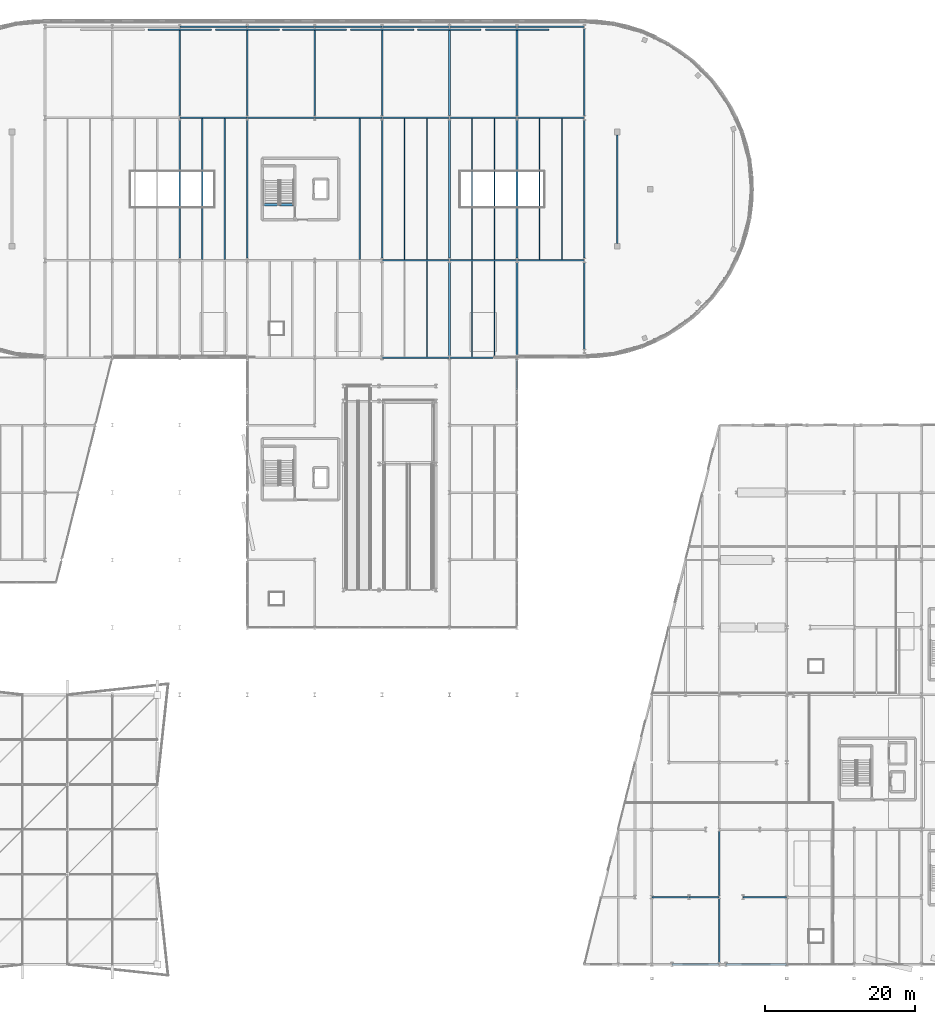
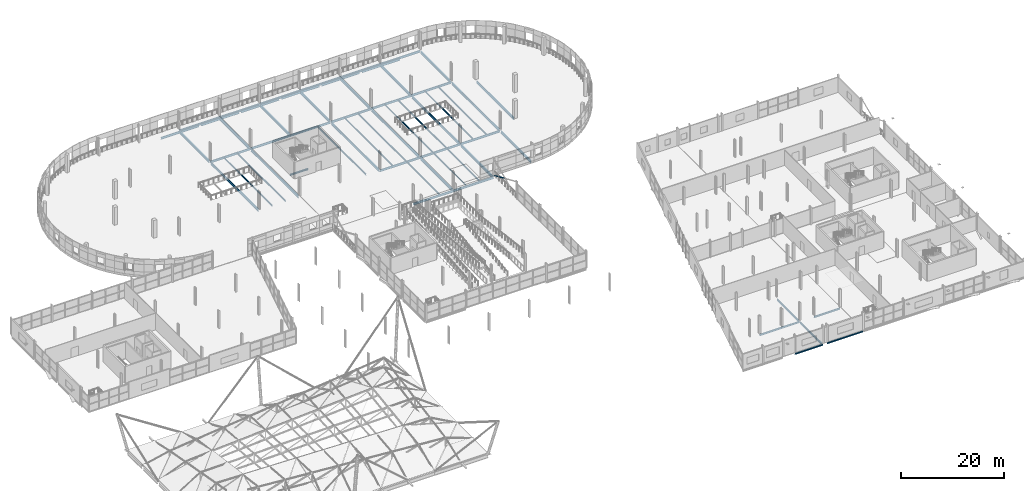
# One storey, part 78 of 132: 60 beams, 1 member.
"""IFC4 building model written with IfcOpenShell, lengths in metres."""

from ifc_helpers import new_model, si_unit, direction, frame, origin, origin_2d, place, context, subcontext, project, spatial, hollow_rectangle, i_section, extrude, material, material_profile, profile_set, type_object, element, save


model = new_model("IFC4")

# Units and contexts
model_context = context("Model", 3, precision=1e-05, world=origin(), true_north=direction((0.0, 1.0)))
body_context = subcontext(model_context, "Body", "Model", "MODEL_VIEW")
ifc_project = project(units=[si_unit("LENGTHUNIT", "METRE"), si_unit("AREAUNIT", "SQUARE_METRE"), si_unit("VOLUMEUNIT", "CUBIC_METRE"), si_unit("PLANEANGLEUNIT", "RADIAN"), si_unit("MASSUNIT", "GRAM", prefix="KILO")], contexts=[model_context])

# Site, building, storey
site_placement = place(None, origin())
site = spatial("IfcSite", under=ifc_project, at=site_placement, CompositionType="ELEMENT")
building_placement = place(site_placement, origin())
building = spatial("IfcBuilding", under=site, at=building_placement, Name="Deido Ridge Mobility Hub", CompositionType="ELEMENT")
storey_placement = place(building_placement, frame((0.0, 0.0, 8.39990234375)))
storey = spatial("IfcBuildingStorey", under=building, at=storey_placement, Name="L02", CompositionType="ELEMENT", Elevation=8.39990234375)

# Beams
ifc_material_1 = material(Name="Steel S355J2 EN 10025-2", Category="steel")
ifc_material_profile_1 = material_profile(ifc_material_1, i_section(OverallWidth=0.300048828125, OverallDepth=0.330078125, WebThickness=0.009521484375, FlangeThickness=0.0166015625, FilletRadius=0.027099609375, at=origin_2d()), Name="HEA 340")
ifc_profile_set_1 = profile_set([ifc_material_profile_1], Name="Steel S355J2 EN 10025-2")
beam_type_1 = type_object("IfcBeamType", Name="BM-HEA340", PredefinedType="BEAM", material=ifc_profile_set_1)
beam_1_placement = place(storey_placement, frame((74.14990234375, 101.39990234375, -0.419921875), z_axis=(1.0, 0.0, 0.0), x_axis=(0.0, 1.0, 0.0)))
element("IfcBeam", 1, at=beam_1_placement, inside=storey, type_object=beam_type_1, Name="C5 stair landing trimmer beam B6", PredefinedType="BEAM", context=body_context, shape_type="SweptSolid", body=[
    extrude(i_section(OverallWidth=0.300048828125, OverallDepth=0.330078125, WebThickness=0.009521484375, FlangeThickness=0.0166015625, FilletRadius=0.027099609375, at=origin_2d()), origin(), (0.0, 0.0, 1.0), 4.085205078125),
])
ifc_material_profile_2 = material_profile(ifc_material_1, i_section(OverallWidth=0.179931640625, OverallDepth=0.39990234375, WebThickness=0.008544921875, FlangeThickness=0.013427734375, FilletRadius=0.02099609375, at=origin_2d()), Name="IPE 400")
ifc_profile_set_2 = profile_set([ifc_material_profile_2], Name="Steel S355J2 EN 10025-2")
beam_type_2 = type_object("IfcBeamType", Name="BM-IPE400", PredefinedType="BEAM", material=ifc_profile_set_2)
beam_2_placement = place(storey_placement, frame((126.0087890625, 9.0, -0.454833984375), z_axis=(1.0, 0.0, 0.0), x_axis=(0.0, 1.0, 0.0)))
element("IfcBeam", 2, at=beam_2_placement, inside=storey, type_object=beam_type_2, Name="Floor beam B5", PredefinedType="BEAM", context=body_context, shape_type="SweptSolid", body=[
    extrude(i_section(OverallWidth=0.179931640625, OverallDepth=0.39990234375, WebThickness=0.008544921875, FlangeThickness=0.013427734375, FilletRadius=0.02099609375, at=origin_2d()), origin(), (0.0, 0.0, 1.0), 4.93359375),
])
beam_3_placement = place(storey_placement, frame((130.957763671875, 9.0, -0.454833984375), z_axis=(1.0, 0.0, 0.0), x_axis=(0.0, 1.0, 0.0)))
element("IfcBeam", 3, at=beam_3_placement, inside=storey, type_object=beam_type_2, Name="Floor beam B5", PredefinedType="BEAM", context=body_context, shape_type="SweptSolid", body=[
    extrude(i_section(OverallWidth=0.179931640625, OverallDepth=0.39990234375, WebThickness=0.008544921875, FlangeThickness=0.013427734375, FilletRadius=0.02099609375, at=origin_2d()), origin(), (0.0, 0.0, 1.0), 4.035400390625),
])
beam_4_placement = place(storey_placement, frame((138.15771484375, 9.0, -0.454833984375), z_axis=(1.0, 0.0, 0.0), x_axis=(0.0, 1.0, 0.0)))
element("IfcBeam", 4, at=beam_4_placement, inside=storey, type_object=beam_type_2, Name="Floor beam B5", PredefinedType="BEAM", context=body_context, shape_type="SweptSolid", body=[
    extrude(i_section(OverallWidth=0.179931640625, OverallDepth=0.39990234375, WebThickness=0.008544921875, FlangeThickness=0.013427734375, FilletRadius=0.02099609375, at=origin_2d()), origin(), (0.0, 0.0, 1.0), 5.83349609375),
])
ifc_material_profile_3 = material_profile(ifc_material_1, i_section(OverallWidth=0.18994140625, OverallDepth=0.449951171875, WebThickness=0.009521484375, FlangeThickness=0.0146484375, FilletRadius=0.02099609375, at=origin_2d()), Name="IPE 450")
ifc_profile_set_3 = profile_set([ifc_material_profile_3], Name="Steel S355J2 EN 10025-2")
beam_type_3 = type_object("IfcBeamType", Name="BM-IPE450", PredefinedType="BEAM", material=ifc_profile_set_3)
beam_5_placement = place(storey_placement, frame((135.0, 0.300048828125, -0.47998046875), z_axis=(0.0, 1.0, 0.0), x_axis=(-1.0, 0.0, 0.0)))
element("IfcBeam", 5, at=beam_5_placement, inside=storey, type_object=beam_type_3, Name="Floor beam B4", PredefinedType="BEAM", context=body_context, shape_type="SweptSolid", body=[
    extrude(i_section(OverallWidth=0.18994140625, OverallDepth=0.449951171875, WebThickness=0.009521484375, FlangeThickness=0.0146484375, FilletRadius=0.02099609375, at=origin_2d()), origin(), (0.0, 0.0, 1.0), 8.5),
])
beam_6_placement = place(storey_placement, frame((135.0, 9.199951171875, -0.47998046875), z_axis=(0.0, 1.0, 0.0), x_axis=(-1.0, 0.0, 0.0)))
element("IfcBeam", 6, at=beam_6_placement, inside=storey, type_object=beam_type_3, Name="Floor beam B4", PredefinedType="BEAM", context=body_context, shape_type="SweptSolid", body=[
    extrude(i_section(OverallWidth=0.18994140625, OverallDepth=0.449951171875, WebThickness=0.009521484375, FlangeThickness=0.0146484375, FilletRadius=0.02099609375, at=origin_2d()), origin(), (0.0, 0.0, 1.0), 8.60009765625),
])
ifc_material_profile_4 = material_profile(ifc_material_1, i_section(OverallWidth=0.199951171875, OverallDepth=0.5, WebThickness=0.01025390625, FlangeThickness=0.01611328125, FilletRadius=0.02099609375, at=origin_2d()), Name="IPE 500")
ifc_profile_set_4 = profile_set([ifc_material_profile_4], Name="Steel S355J2 EN 10025-2")
beam_type_4 = type_object("IfcBeamType", Name="BM-IPE500", PredefinedType="BEAM", material=ifc_profile_set_4)
for number, where, z_axis, x_axis, name in (
    (7, (90.007080078125, 81.0, -0.5048828125), (1.0, 0.0, 0.0), (0.0, 1.0, 0.0), "Floor beam B3"),
    (8, (99.007080078125, 81.0, -0.5048828125), (1.0, 0.0, 0.0), (0.0, 1.0, 0.0), "Floor beam B3"),
):
    element("IfcBeam", number, at=place(storey_placement, frame(where, z_axis=z_axis, x_axis=x_axis)), inside=storey, type_object=beam_type_4, Name=name, PredefinedType="BEAM", context=body_context, shape_type="SweptSolid", body=[
        extrude(i_section(OverallWidth=0.199951171875, OverallDepth=0.5, WebThickness=0.01025390625, FlangeThickness=0.01611328125, FilletRadius=0.02099609375, at=origin_2d()), origin(), (0.0, 0.0, 1.0), 8.98583984375),
    ])
for number, where, z_axis, x_axis, name in (
    (9, (90.0078125, 94.0, -0.5048828125), (1.0, 0.0, 0.0), (0.0, 1.0, 0.0), "Floor beam B3"),
    (10, (99.0078125, 94.0, -0.5048828125), (1.0, 0.0, 0.0), (0.0, 1.0, 0.0), "Floor beam B3"),
    (11, (108.0078125, 94.0, -0.5048828125), (1.0, 0.0, 0.0), (0.0, 1.0, 0.0), "Floor beam B3"),
    (12, (63.0078125, 113.0, -0.5048828125), (1.0, 0.0, 0.0), (0.0, 1.0, 0.0), "Floor beam B3"),
    (13, (72.0078125, 113.0, -0.5048828125), (1.0, 0.0, 0.0), (0.0, 1.0, 0.0), "Floor beam B3"),
    (14, (81.0078125, 113.0, -0.5048828125), (1.0, 0.0, 0.0), (0.0, 1.0, 0.0), "Floor beam B3"),
    (15, (90.0078125, 113.0, -0.5048828125), (1.0, 0.0, 0.0), (0.0, 1.0, 0.0), "Floor beam B3"),
    (16, (99.0078125, 113.0, -0.5048828125), (1.0, 0.0, 0.0), (0.0, 1.0, 0.0), "Floor beam B3"),
    (17, (108.0078125, 113.0, -0.5048828125), (1.0, 0.0, 0.0), (0.0, 1.0, 0.0), "Floor beam B3"),
):
    element("IfcBeam", number, at=place(storey_placement, frame(where, z_axis=z_axis, x_axis=x_axis)), inside=storey, type_object=beam_type_4, Name=name, PredefinedType="BEAM", context=body_context, shape_type="SweptSolid", body=[
        extrude(i_section(OverallWidth=0.199951171875, OverallDepth=0.5, WebThickness=0.01025390625, FlangeThickness=0.01611328125, FilletRadius=0.02099609375, at=origin_2d()), origin(), (0.0, 0.0, 1.0), 8.984375),
    ])
for number, where, z_axis, x_axis, name in (
    (18, (63.007080078125, 125.14990234375, -0.5048828125), (1.0, 0.0, 0.0), (0.0, 1.0, 0.0), "Floor beam B3"),
    (19, (72.007080078125, 125.14990234375, -0.5048828125), (1.0, 0.0, 0.0), (0.0, 1.0, 0.0), "Floor beam B3"),
    (20, (81.007080078125, 125.14990234375, -0.5048828125), (1.0, 0.0, 0.0), (0.0, 1.0, 0.0), "Floor beam B3"),
    (21, (90.007080078125, 125.14990234375, -0.5048828125), (1.0, 0.0, 0.0), (0.0, 1.0, 0.0), "Floor beam B3"),
    (22, (99.007080078125, 125.14990234375, -0.5048828125), (1.0, 0.0, 0.0), (0.0, 1.0, 0.0), "Floor beam B3"),
    (23, (108.007080078125, 125.14990234375, -0.5048828125), (1.0, 0.0, 0.0), (0.0, 1.0, 0.0), "Floor beam B3"),
):
    element("IfcBeam", number, at=place(storey_placement, frame(where, z_axis=z_axis, x_axis=x_axis)), inside=storey, type_object=beam_type_4, Name=name, PredefinedType="BEAM", context=body_context, shape_type="SweptSolid", body=[
        extrude(i_section(OverallWidth=0.199951171875, OverallDepth=0.5, WebThickness=0.01025390625, FlangeThickness=0.01611328125, FilletRadius=0.02099609375, at=origin_2d()), origin(), (0.0, 0.0, 1.0), 8.98583984375),
    ])
for number, where, z_axis, x_axis, name in (
    (24, (58.72509765625, 124.75, -0.5048828125), (1.0, 0.0, 0.0), (0.0, 1.0, 0.0), "Floor beam B3"),
    (25, (67.77490234375, 124.75, -0.5048828125), (1.0, 0.0, 0.0), (0.0, 1.0, 0.0), "Floor beam B3"),
    (26, (76.72509765625, 124.75, -0.5048828125), (1.0, 0.0, 0.0), (0.0, 1.0, 0.0), "Floor beam B3"),
    (27, (85.77490234375, 124.75, -0.5048828125), (1.0, 0.0, 0.0), (0.0, 1.0, 0.0), "Floor beam B3"),
    (28, (94.72509765625, 124.75, -0.5048828125), (1.0, 0.0, 0.0), (0.0, 1.0, 0.0), "Floor beam B3"),
    (29, (103.77490234375, 124.75, -0.5048828125), (1.0, 0.0, 0.0), (0.0, 1.0, 0.0), "Floor beam B3"),
):
    element("IfcBeam", number, at=place(storey_placement, frame(where, z_axis=z_axis, x_axis=x_axis)), inside=storey, type_object=beam_type_4, Name=name, PredefinedType="BEAM", context=body_context, shape_type="SweptSolid", body=[
        extrude(i_section(OverallWidth=0.199951171875, OverallDepth=0.5, WebThickness=0.01025390625, FlangeThickness=0.01611328125, FilletRadius=0.02099609375, at=origin_2d()), origin(), (0.0, 0.0, 1.0), 8.5),
    ])
ifc_material_profile_5 = material_profile(ifc_material_1, i_section(OverallWidth=0.219970703125, OverallDepth=0.60009765625, WebThickness=0.011962890625, FlangeThickness=0.01904296875, FilletRadius=0.02392578125, at=origin_2d()), Name="IPE 600")
ifc_profile_set_5 = profile_set([ifc_material_profile_5], Name="Steel S355J2 EN 10025-2")
beam_type_5 = type_object("IfcBeamType", Name="BM-IPE600", PredefinedType="BEAM", material=ifc_profile_set_5)
beam_7_placement = place(storey_placement, frame((63.0, 94.300048828125, -0.554931640625), z_axis=(0.0, 1.0, 0.0), x_axis=(-1.0, 0.0, 0.0)))
element("IfcBeam", 30, at=beam_7_placement, inside=storey, type_object=beam_type_5, Name="Floor beam B1", PredefinedType="BEAM", context=body_context, shape_type="SweptSolid", body=[
    extrude(i_section(OverallWidth=0.219970703125, OverallDepth=0.60009765625, WebThickness=0.011962890625, FlangeThickness=0.01904296875, FilletRadius=0.02392578125, at=origin_2d()), origin(), (0.0, 0.0, 1.0), 18.39990234375),
])
beam_8_placement = place(storey_placement, frame((63.0, 113.300048828125, -0.554931640625), z_axis=(0.0, 1.0, 0.0), x_axis=(-1.0, 0.0, 0.0)))
element("IfcBeam", 31, at=beam_8_placement, inside=storey, type_object=beam_type_5, Name="Floor beam B1", PredefinedType="BEAM", context=body_context, shape_type="SweptSolid", body=[
    extrude(i_section(OverallWidth=0.219970703125, OverallDepth=0.60009765625, WebThickness=0.011962890625, FlangeThickness=0.01904296875, FilletRadius=0.02392578125, at=origin_2d()), origin(), (0.0, 0.0, 1.0), 11.599853515625),
])
beam_9_placement = place(storey_placement, frame((72.0, 94.300048828125, -0.554931640625), z_axis=(0.0, 1.0, 0.0), x_axis=(-1.0, 0.0, 0.0)))
element("IfcBeam", 32, at=beam_9_placement, inside=storey, type_object=beam_type_5, Name="Floor beam B1", PredefinedType="BEAM", context=body_context, shape_type="SweptSolid", body=[
    extrude(i_section(OverallWidth=0.219970703125, OverallDepth=0.60009765625, WebThickness=0.011962890625, FlangeThickness=0.01904296875, FilletRadius=0.02392578125, at=origin_2d()), origin(), (0.0, 0.0, 1.0), 18.39990234375),
])
for number, where, z_axis, x_axis, name in (
    (33, (72.0, 113.300048828125, -0.554931640625), (0.0, 1.0, 0.0), (-1.0, 0.0, 0.0), "Floor beam B1"),
    (34, (81.0, 113.300048828125, -0.554931640625), (0.0, 1.0, 0.0), (-1.0, 0.0, 0.0), "Floor beam B1"),
):
    element("IfcBeam", number, at=place(storey_placement, frame(where, z_axis=z_axis, x_axis=x_axis)), inside=storey, type_object=beam_type_5, Name=name, PredefinedType="BEAM", context=body_context, shape_type="SweptSolid", body=[
        extrude(i_section(OverallWidth=0.219970703125, OverallDepth=0.60009765625, WebThickness=0.011962890625, FlangeThickness=0.01904296875, FilletRadius=0.02392578125, at=origin_2d()), origin(), (0.0, 0.0, 1.0), 11.599853515625),
    ])
beam_10_placement = place(storey_placement, frame((90.0, 94.300048828125, -0.554931640625), z_axis=(0.0, 1.0, 0.0), x_axis=(-1.0, 0.0, 0.0)))
element("IfcBeam", 35, at=beam_10_placement, inside=storey, type_object=beam_type_5, Name="Floor beam B1", PredefinedType="BEAM", context=body_context, shape_type="SweptSolid", body=[
    extrude(i_section(OverallWidth=0.219970703125, OverallDepth=0.60009765625, WebThickness=0.011962890625, FlangeThickness=0.01904296875, FilletRadius=0.02392578125, at=origin_2d()), origin(), (0.0, 0.0, 1.0), 18.39990234375),
])
beam_11_placement = place(storey_placement, frame((90.0, 113.300048828125, -0.554931640625), z_axis=(0.0, 1.0, 0.0), x_axis=(-1.0, 0.0, 0.0)))
element("IfcBeam", 36, at=beam_11_placement, inside=storey, type_object=beam_type_5, Name="Floor beam B1", PredefinedType="BEAM", context=body_context, shape_type="SweptSolid", body=[
    extrude(i_section(OverallWidth=0.219970703125, OverallDepth=0.60009765625, WebThickness=0.011962890625, FlangeThickness=0.01904296875, FilletRadius=0.02392578125, at=origin_2d()), origin(), (0.0, 0.0, 1.0), 11.599853515625),
])
beam_12_placement = place(storey_placement, frame((99.0, 81.25, -0.554931640625), z_axis=(0.0, 1.0, 0.0), x_axis=(-1.0, 0.0, 0.0)))
element("IfcBeam", 37, at=beam_12_placement, inside=storey, type_object=beam_type_5, Name="Floor beam B1", PredefinedType="BEAM", context=body_context, shape_type="SweptSolid", body=[
    extrude(i_section(OverallWidth=0.219970703125, OverallDepth=0.60009765625, WebThickness=0.011962890625, FlangeThickness=0.01904296875, FilletRadius=0.02392578125, at=origin_2d()), origin(), (0.0, 0.0, 1.0), 12.449951171875),
])
beam_13_placement = place(storey_placement, frame((99.0, 94.300048828125, -0.554931640625), z_axis=(0.0, 1.0, 0.0), x_axis=(-1.0, 0.0, 0.0)))
element("IfcBeam", 38, at=beam_13_placement, inside=storey, type_object=beam_type_5, Name="Floor beam B1", PredefinedType="BEAM", context=body_context, shape_type="SweptSolid", body=[
    extrude(i_section(OverallWidth=0.219970703125, OverallDepth=0.60009765625, WebThickness=0.011962890625, FlangeThickness=0.01904296875, FilletRadius=0.02392578125, at=origin_2d()), origin(), (0.0, 0.0, 1.0), 18.39990234375),
])
beam_14_placement = place(storey_placement, frame((99.0, 113.300048828125, -0.554931640625), z_axis=(0.0, 1.0, 0.0), x_axis=(-1.0, 0.0, 0.0)))
element("IfcBeam", 39, at=beam_14_placement, inside=storey, type_object=beam_type_5, Name="Floor beam B1", PredefinedType="BEAM", context=body_context, shape_type="SweptSolid", body=[
    extrude(i_section(OverallWidth=0.219970703125, OverallDepth=0.60009765625, WebThickness=0.011962890625, FlangeThickness=0.01904296875, FilletRadius=0.02392578125, at=origin_2d()), origin(), (0.0, 0.0, 1.0), 11.599853515625),
])
beam_15_placement = place(storey_placement, frame((108.0, 81.25, -0.554931640625), z_axis=(0.0, 1.0, 0.0), x_axis=(-1.0, 0.0, 0.0)))
element("IfcBeam", 40, at=beam_15_placement, inside=storey, type_object=beam_type_5, Name="Floor beam B1", PredefinedType="BEAM", context=body_context, shape_type="SweptSolid", body=[
    extrude(i_section(OverallWidth=0.219970703125, OverallDepth=0.60009765625, WebThickness=0.011962890625, FlangeThickness=0.01904296875, FilletRadius=0.02392578125, at=origin_2d()), origin(), (0.0, 0.0, 1.0), 12.449951171875),
])
beam_16_placement = place(storey_placement, frame((108.0, 94.300048828125, -0.554931640625), z_axis=(0.0, 1.0, 0.0), x_axis=(-1.0, 0.0, 0.0)))
element("IfcBeam", 41, at=beam_16_placement, inside=storey, type_object=beam_type_5, Name="Floor beam B1", PredefinedType="BEAM", context=body_context, shape_type="SweptSolid", body=[
    extrude(i_section(OverallWidth=0.219970703125, OverallDepth=0.60009765625, WebThickness=0.011962890625, FlangeThickness=0.01904296875, FilletRadius=0.02392578125, at=origin_2d()), origin(), (0.0, 0.0, 1.0), 18.39990234375),
])
for number, where, z_axis, x_axis, name in (
    (42, (108.0, 113.300048828125, -0.554931640625), (0.0, 1.0, 0.0), (-1.0, 0.0, 0.0), "Floor beam B1"),
    (43, (117.0, 82.10009765625, -0.554931640625), (0.0, 1.0, 0.0), (-1.0, 0.0, 0.0), "Floor beam B1"),
):
    element("IfcBeam", number, at=place(storey_placement, frame(where, z_axis=z_axis, x_axis=x_axis)), inside=storey, type_object=beam_type_5, Name=name, PredefinedType="BEAM", context=body_context, shape_type="SweptSolid", body=[
        extrude(i_section(OverallWidth=0.219970703125, OverallDepth=0.60009765625, WebThickness=0.011962890625, FlangeThickness=0.01904296875, FilletRadius=0.02392578125, at=origin_2d()), origin(), (0.0, 0.0, 1.0), 11.599853515625),
    ])
beam_17_placement = place(storey_placement, frame((117.0, 94.300048828125, -0.554931640625), z_axis=(0.0, 1.0, 0.0), x_axis=(-1.0, 0.0, 0.0)))
element("IfcBeam", 44, at=beam_17_placement, inside=storey, type_object=beam_type_5, Name="Floor beam B1", PredefinedType="BEAM", context=body_context, shape_type="SweptSolid", body=[
    extrude(i_section(OverallWidth=0.219970703125, OverallDepth=0.60009765625, WebThickness=0.011962890625, FlangeThickness=0.01904296875, FilletRadius=0.02392578125, at=origin_2d()), origin(), (0.0, 0.0, 1.0), 18.39990234375),
])
beam_18_placement = place(storey_placement, frame((117.0, 113.300048828125, -0.554931640625), z_axis=(0.0, 1.0, 0.0), x_axis=(-1.0, 0.0, 0.0)))
element("IfcBeam", 45, at=beam_18_placement, inside=storey, type_object=beam_type_5, Name="Floor beam B1", PredefinedType="BEAM", context=body_context, shape_type="SweptSolid", body=[
    extrude(i_section(OverallWidth=0.219970703125, OverallDepth=0.60009765625, WebThickness=0.011962890625, FlangeThickness=0.01904296875, FilletRadius=0.02392578125, at=origin_2d()), origin(), (0.0, 0.0, 1.0), 11.599853515625),
])
beam_19_placement = place(storey_placement, frame((121.39990234375, 96.2548828125, -0.554931640625), z_axis=(0.0, 1.0, 0.0), x_axis=(-1.0, 0.0, 0.0)))
element("IfcBeam", 46, at=beam_19_placement, inside=storey, type_object=beam_type_5, Name="Floor beam B1", PredefinedType="BEAM", context=body_context, shape_type="SweptSolid", body=[
    extrude(i_section(OverallWidth=0.219970703125, OverallDepth=0.60009765625, WebThickness=0.011962890625, FlangeThickness=0.01904296875, FilletRadius=0.02392578125, at=origin_2d()), origin(), (0.0, 0.0, 1.0), 14.490234375),
])
ifc_material_profile_6 = material_profile(ifc_material_1, i_section(OverallWidth=0.159912109375, OverallDepth=0.330078125, WebThickness=0.007568359375, FlangeThickness=0.011474609375, FilletRadius=0.01806640625, at=origin_2d()), Name="IPE 330")
ifc_profile_set_6 = profile_set([ifc_material_profile_6], Name="Steel S355J2 EN 10025-2")
beam_type_6 = type_object("IfcBeamType", Name="JST-IPE330", PredefinedType="JOIST", material=ifc_profile_set_6)
beam_20_placement = place(storey_placement, frame((102.0, 81.10009765625, -0.419921875), z_axis=(0.0, 1.0, 0.0), x_axis=(-1.0, 0.0, 0.0)))
element("IfcBeam", 47, at=beam_20_placement, inside=storey, type_object=beam_type_6, Name="Composite joist J2", PredefinedType="JOIST", context=body_context, shape_type="SweptSolid", body=[
    extrude(i_section(OverallWidth=0.159912109375, OverallDepth=0.330078125, WebThickness=0.007568359375, FlangeThickness=0.011474609375, FilletRadius=0.01806640625, at=origin_2d()), origin(), (0.0, 0.0, 1.0), 12.7998046875),
])
for number, where, z_axis, x_axis, name in (
    (48, (66.0, 94.10009765625, -0.419921875), (0.0, 1.0, 0.0), (-1.0, 0.0, 0.0), "Composite joist J2"),
    (49, (93.0, 94.10009765625, -0.419921875), (0.0, 1.0, 0.0), (-1.0, 0.0, 0.0), "Composite joist J2"),
    (50, (102.0, 94.10009765625, -0.419921875), (0.0, 1.0, 0.0), (-1.0, 0.0, 0.0), "Composite joist J2"),
    (51, (111.0, 94.10009765625, -0.419921875), (0.0, 1.0, 0.0), (-1.0, 0.0, 0.0), "Composite joist J2"),
):
    element("IfcBeam", number, at=place(storey_placement, frame(where, z_axis=z_axis, x_axis=x_axis)), inside=storey, type_object=beam_type_6, Name=name, PredefinedType="JOIST", context=body_context, shape_type="SweptSolid", body=[
        extrude(i_section(OverallWidth=0.159912109375, OverallDepth=0.330078125, WebThickness=0.007568359375, FlangeThickness=0.011474609375, FilletRadius=0.01806640625, at=origin_2d()), origin(), (0.0, 0.0, 1.0), 18.7998046875),
    ])
ifc_material_profile_7 = material_profile(ifc_material_1, i_section(OverallWidth=0.169921875, OverallDepth=0.360107421875, WebThickness=0.008056640625, FlangeThickness=0.0126953125, FilletRadius=0.01806640625, at=origin_2d()), Name="IPE 360")
ifc_profile_set_7 = profile_set([ifc_material_profile_7], Name="Steel S355J2 EN 10025-2")
beam_type_7 = type_object("IfcBeamType", Name="JST-IPE360", PredefinedType="JOIST", material=ifc_profile_set_7)
for number, where, z_axis, x_axis, name in (
    (52, (96.0, 81.10009765625, -0.434814453125), (0.0, 1.0, 0.0), (-1.0, 0.0, 0.0), "Composite joist J1"),
    (53, (105.0, 81.10009765625, -0.434814453125), (0.0, 1.0, 0.0), (-1.0, 0.0, 0.0), "Composite joist J1"),
):
    element("IfcBeam", number, at=place(storey_placement, frame(where, z_axis=z_axis, x_axis=x_axis)), inside=storey, type_object=beam_type_7, Name=name, PredefinedType="JOIST", context=body_context, shape_type="SweptSolid", body=[
        extrude(i_section(OverallWidth=0.169921875, OverallDepth=0.360107421875, WebThickness=0.008056640625, FlangeThickness=0.0126953125, FilletRadius=0.01806640625, at=origin_2d()), origin(), (0.0, 0.0, 1.0), 12.7998046875),
    ])
for number, where, z_axis, x_axis, name in (
    (54, (69.0, 94.10009765625, -0.434814453125), (0.0, 1.0, 0.0), (-1.0, 0.0, 0.0), "Composite joist J1"),
    (55, (87.0, 94.10009765625, -0.434814453125), (0.0, 1.0, 0.0), (-1.0, 0.0, 0.0), "Composite joist J1"),
    (56, (96.0, 94.10009765625, -0.434814453125), (0.0, 1.0, 0.0), (-1.0, 0.0, 0.0), "Composite joist J1"),
    (57, (105.0, 94.10009765625, -0.434814453125), (0.0, 1.0, 0.0), (-1.0, 0.0, 0.0), "Composite joist J1"),
    (58, (114.0, 94.10009765625, -0.434814453125), (0.0, 1.0, 0.0), (-1.0, 0.0, 0.0), "Composite joist J1"),
):
    element("IfcBeam", number, at=place(storey_placement, frame(where, z_axis=z_axis, x_axis=x_axis)), inside=storey, type_object=beam_type_7, Name=name, PredefinedType="JOIST", context=body_context, shape_type="SweptSolid", body=[
        extrude(i_section(OverallWidth=0.169921875, OverallDepth=0.360107421875, WebThickness=0.008056640625, FlangeThickness=0.0126953125, FilletRadius=0.01806640625, at=origin_2d()), origin(), (0.0, 0.0, 1.0), 18.7998046875),
    ])

# Member
ifc_material_2 = material(Name="Steel S355J2H EN 10210-1", Category="steel")
ifc_material_profile_8 = material_profile(ifc_material_2, hollow_rectangle(XDim=0.199951171875, YDim=0.199951171875, WallThickness=0.010009765625, at=origin_2d()), Name="SHS 200x200x10")
ifc_profile_set_8 = profile_set([ifc_material_profile_8], Name="Steel S355J2H EN 10210-1")
member_type = type_object("IfcMemberType", Name="MEM-BRC-SHS200", PredefinedType="BRACE", material=ifc_profile_set_8)
member_placement = place(storey_placement, frame((108.0, 80.699951171875, 0.18017578125), z_axis=(0.0, -0.917550833654, 0.397618495119), x_axis=(1.0, 0.0, 0.0)))
element("IfcMember", 59, at=member_placement, inside=storey, type_object=member_type, Name="Split X-brace diagonal segment BR3", PredefinedType="BRACE", context=body_context, shape_type="SweptSolid", body=[
    extrude(hollow_rectangle(XDim=0.199951171875, YDim=0.199951171875, WallThickness=0.010009765625, at=origin_2d()), origin(), (0.0, 0.0, 1.0), 4.33740234375),
])

# Beams
ifc_material_profile_9 = material_profile(ifc_material_1, i_section(OverallWidth=0.280029296875, OverallDepth=0.27001953125, WebThickness=0.008056640625, FlangeThickness=0.012939453125, FilletRadius=0.02392578125, at=origin_2d()), Name="HEA 280")
ifc_profile_set_9 = profile_set([ifc_material_profile_9], Name="Steel S355J2 EN 10025-2")
beam_type_8 = type_object("IfcBeamType", Name="SPD-HEA280", PredefinedType="SPANDREL", material=ifc_profile_set_9)
beam_21_placement = place(storey_placement, frame((128.707763671875, 0.0, -0.389892578125), z_axis=(1.0, 0.0, 0.0), x_axis=(0.0, 1.0, 0.0)))
element("IfcBeam", 60, at=beam_21_placement, inside=storey, type_object=beam_type_8, Name="Floor beam SP2", PredefinedType="SPANDREL", context=body_context, shape_type="SweptSolid", body=[
    extrude(i_section(OverallWidth=0.280029296875, OverallDepth=0.27001953125, WebThickness=0.008056640625, FlangeThickness=0.012939453125, FilletRadius=0.02392578125, at=origin_2d()), origin(), (0.0, 0.0, 1.0), 6.284423828125),
])
beam_22_placement = place(storey_placement, frame((135.90771484375, 0.0, -0.389892578125), z_axis=(1.0, 0.0, 0.0), x_axis=(0.0, 1.0, 0.0)))
element("IfcBeam", 61, at=beam_22_placement, inside=storey, type_object=beam_type_8, Name="Floor beam SP2", PredefinedType="SPANDREL", context=body_context, shape_type="SweptSolid", body=[
    extrude(i_section(OverallWidth=0.280029296875, OverallDepth=0.27001953125, WebThickness=0.008056640625, FlangeThickness=0.012939453125, FilletRadius=0.02392578125, at=origin_2d()), origin(), (0.0, 0.0, 1.0), 8.08349609375),
])

save(model, "model.ifc")
